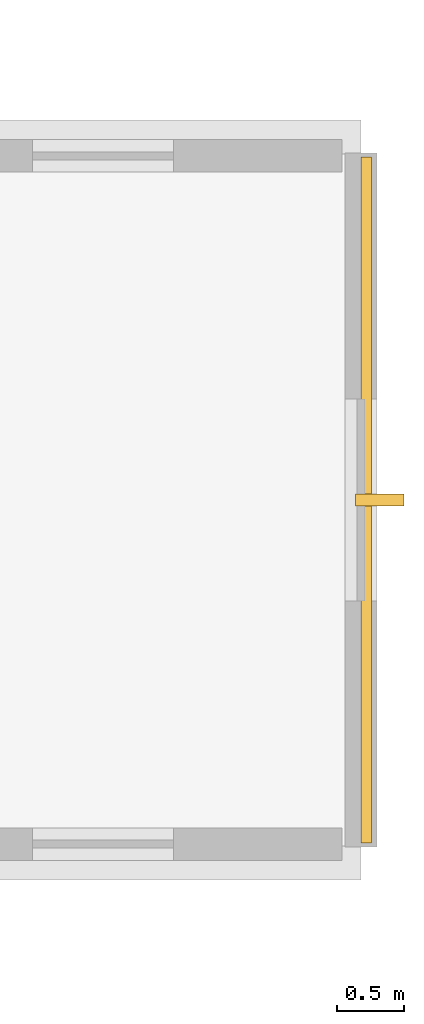
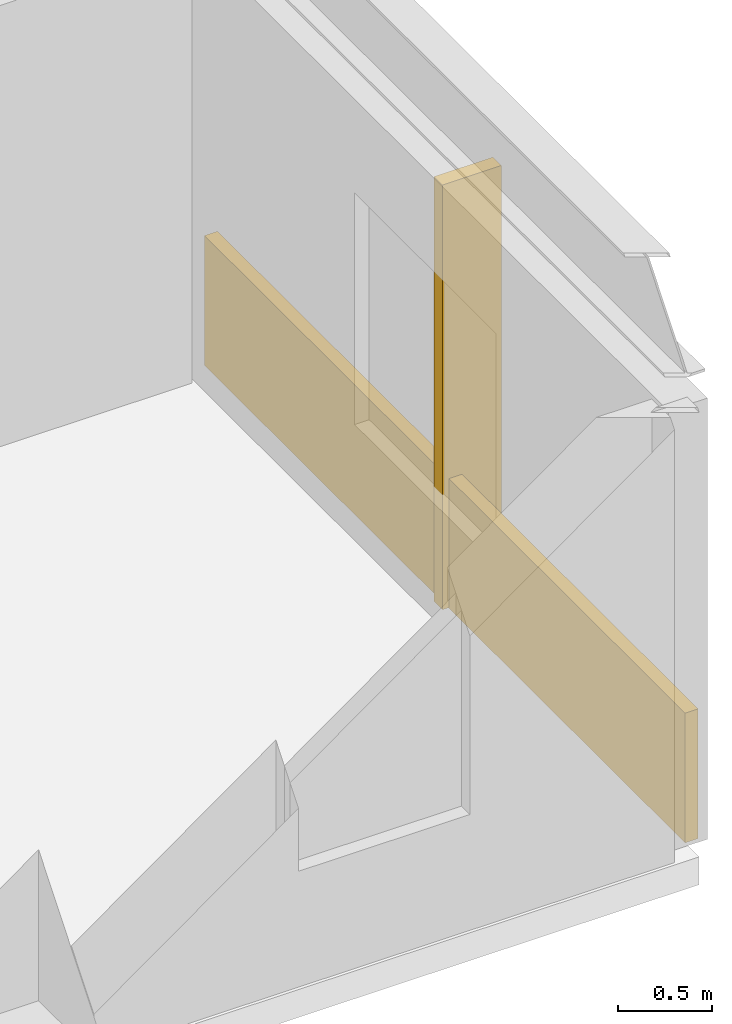
# One storey, part 27 of 28: 1 covering, 1 shading device.
"""IFC4 building model written with IfcOpenShell, lengths in metres."""

from ifc_helpers import new_model, si_unit, direction, frame, origin, origin_2d, place, context, subcontext, project, spatial, rectangle, extrude, material, layer, layer_set, type_object, element, save


model = new_model("IFC4")

# Units and contexts
model_context = context("Model", 3, precision=1e-05, world=origin(), true_north=direction((0.0, 1.0)))
body_context = subcontext(model_context, "Body", "Model", "MODEL_VIEW")
ifc_project = project(units=[si_unit("LENGTHUNIT", "METRE"), si_unit("AREAUNIT", "SQUARE_METRE"), si_unit("VOLUMEUNIT", "CUBIC_METRE"), si_unit("PLANEANGLEUNIT", "RADIAN"), si_unit("MASSUNIT", "GRAM", prefix="KILO")], contexts=[model_context])

# Site, building, storey
site_placement = place(None, origin())
site = spatial("IfcSite", under=ifc_project, at=site_placement, CompositionType="ELEMENT")
building_placement = place(site_placement, origin())
building = spatial("IfcBuilding", under=site, at=building_placement, Name="Surkhivell Harbour Commons", CompositionType="ELEMENT")
storey_placement = place(building_placement, frame((0.0, 0.0, 67.5)))
storey = spatial("IfcBuildingStorey", under=building, at=storey_placement, Name="L17", CompositionType="ELEMENT", Elevation=67.5)

# Covering
ifc_material_1 = material(Name="Emerald-teal enamelled aluminium cassette panel", Category="aluminium")
ifc_layer = layer(ifc_material_1, 0.068115234375)
ifc_layer_set = layer_set([ifc_layer], Name="Emerald-teal enamelled aluminium cassette panel")
covering_type = type_object("IfcCoveringType", Name="COV-CLAD-EME", PredefinedType="CLADDING", material=ifc_layer_set)
covering_placement = place(storey_placement, frame((36.739990234375, 13.5, 0.0), z_axis=(0.0, 0.0, 1.0), x_axis=(1.0, 0.0, 0.0)))
element("IfcCovering", 1, at=covering_placement, inside=storey, type_object=covering_type, Name="L17 Coloured-Panel Box Spandrel Cassette 01", PredefinedType="CLADDING", context=body_context, shape_type="SweptSolid", body=[
    extrude(rectangle(XDim=0.080078125, YDim=5.10009765625, at=origin_2d()), origin(), (0.0, 0.0, 1.0), 0.840087890625),
])

# Shading device
ifc_material_2 = material(Name="Anodised pale-metal aluminium solar fin", Category="aluminium")
shading_device_type = type_object("IfcShadingDeviceType", Name="SHD-FIN-VERT", PredefinedType="USERDEFINED", material=ifc_material_2)
shading_device_placement = place(storey_placement, frame((36.840087890625, 13.5, 0.0048828125), z_axis=(0.0, 0.0, 1.0), x_axis=(1.0, 0.0, 0.0)))
element("IfcShadingDevice", 2, at=shading_device_placement, inside=storey, type_object=shading_device_type, Name="L17 Coloured-Box Solar Fin 01", ObjectType="FIN", PredefinedType="USERDEFINED", context=body_context, shape_type="SweptSolid", body=[
    extrude(rectangle(XDim=0.360107421875, YDim=0.090087890625, at=origin_2d()), origin(), (0.0, 0.0, 1.0), 2.75),
])

save(model, "model.ifc")
